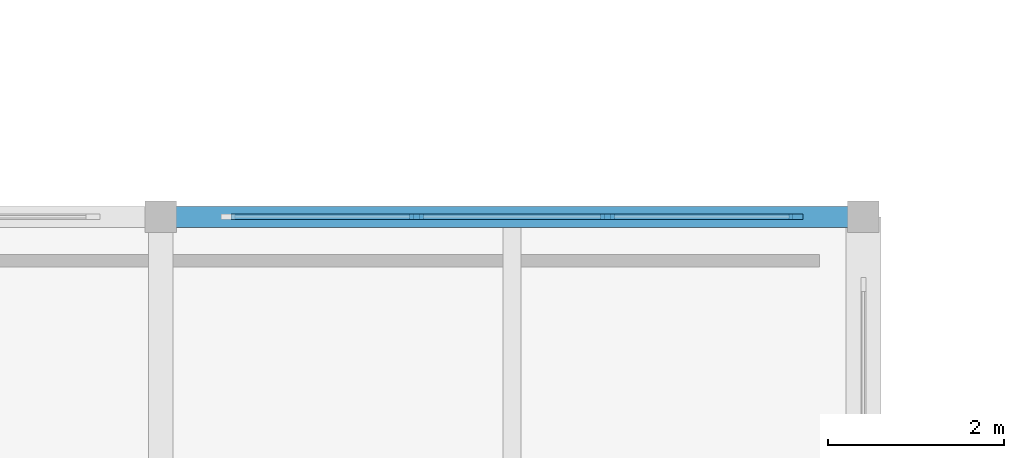
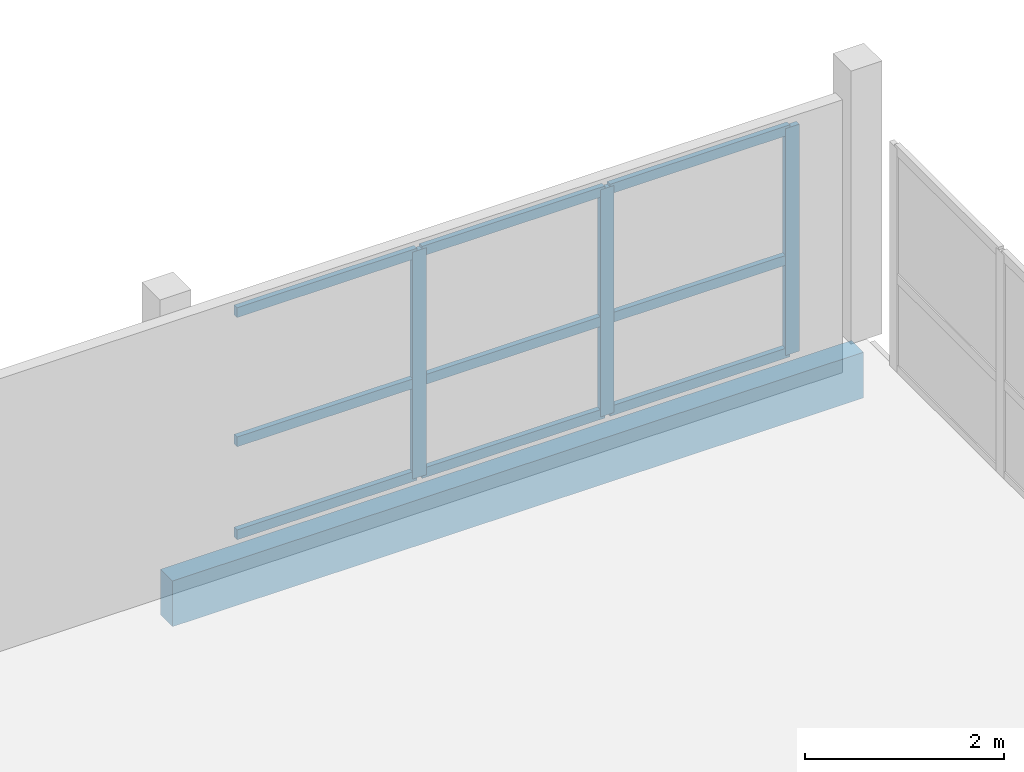
# One storey, part 7 of 22: 12 members, 1 beam, 1 element without a shape of its own.
"""IFC4 building model written with IfcOpenShell, lengths in metres."""

from ifc_helpers import new_model, si_unit, direction, frame, origin, origin_2d, place, context, subcontext, project, spatial, rectangle, extrude, material, material_profile, profile_set, type_object, element, aggregate, save


model = new_model("IFC4")

# Units and contexts
model_context = context("Model", 3, precision=1e-05, world=origin(), true_north=direction((0.0, 1.0)))
body_context = subcontext(model_context, "Body", "Model", "MODEL_VIEW")
ifc_project = project(units=[si_unit("LENGTHUNIT", "METRE"), si_unit("AREAUNIT", "SQUARE_METRE"), si_unit("VOLUMEUNIT", "CUBIC_METRE"), si_unit("PLANEANGLEUNIT", "RADIAN"), si_unit("MASSUNIT", "GRAM", prefix="KILO")], contexts=[model_context])

# Site, building, storey
site_placement = place(None, origin())
site = spatial("IfcSite", under=ifc_project, at=site_placement, CompositionType="ELEMENT")
building_placement = place(site_placement, origin())
building = spatial("IfcBuilding", under=site, at=building_placement, Name="Vharandega Faculty of Natural Sciences", CompositionType="ELEMENT")
storey_placement = place(building_placement, frame((0.0, 0.0, 28.800048828125)))
storey = spatial("IfcBuildingStorey", under=building, at=storey_placement, Name="L07", CompositionType="ELEMENT", Elevation=28.800048828125)

# Curtain wall, members
ifc_material_1 = material(Name="Aluminium and solar-control glass curtain wall", Category="aluminium")
curtain_wall_type = type_object("IfcCurtainWallType", Name="Unitised Curtain Wall System CW-11", PredefinedType="NOTDEFINED", material=ifc_material_1)
curtain_wall_placement = place(storey_placement, origin())
curtain_wall = element("IfcCurtainWall", 1, at=curtain_wall_placement, inside=storey, type_object=curtain_wall_type, Name="Curtain Wall CW-L07-234", PredefinedType="NOTDEFINED")
ifc_material_2 = material(Name="Thermally broken aluminium 6063-T6", Category="aluminium")
ifc_material_profile_1 = material_profile(ifc_material_2, rectangle(XDim=0.06005859375, YDim=0.159912109375, at=origin_2d()), Name="ALU 60x160")
ifc_profile_set_1 = profile_set([ifc_material_profile_1], Name="Thermally broken aluminium 6063-T6")
member_type_1 = type_object("IfcMemberType", Name="CW Mullion 60x160", PredefinedType="MULLION", material=ifc_profile_set_1)
member_1_placement = place(storey_placement, frame((34.913330078125, 64.0, 0.0), z_axis=(0.0, 0.0, 1.0), x_axis=(0.0, 1.0, 0.0)))
member_1 = element("IfcMember", 2, at=member_1_placement, type_object=member_type_1, Name="CW-11 mullion 2", PredefinedType="MULLION", context=body_context, shape_type="SweptSolid", body=[
    extrude(rectangle(XDim=0.06005859375, YDim=0.159912109375, at=origin_2d()), origin(), (0.0, 0.0, 1.0), 2.780029296875),
])
member_2_placement = place(storey_placement, frame((37.086669921875, 64.0, 0.0), z_axis=(0.0, 0.0, 1.0), x_axis=(0.0, 1.0, 0.0)))
member_2 = element("IfcMember", 3, at=member_2_placement, type_object=member_type_1, Name="CW-11 mullion 3", PredefinedType="MULLION", context=body_context, shape_type="SweptSolid", body=[
    extrude(rectangle(XDim=0.06005859375, YDim=0.159912109375, at=origin_2d()), origin(), (0.0, 0.0, 1.0), 2.780029296875),
])
member_3_placement = place(storey_placement, frame((39.22998046875, 64.0, 0.0), z_axis=(0.0, 0.0, 1.0), x_axis=(0.0, 1.0, 0.0)))
member_3 = element("IfcMember", 4, at=member_3_placement, type_object=member_type_1, Name="CW-11 mullion 4", PredefinedType="MULLION", context=body_context, shape_type="SweptSolid", body=[
    extrude(rectangle(XDim=0.06005859375, YDim=0.159912109375, at=origin_2d()), origin(), (0.0, 0.0, 1.0), 2.780029296875),
])
ifc_material_3 = material(Name="Thermally broken aluminium 6063-T6", Category="aluminium")
ifc_material_profile_2 = material_profile(ifc_material_3, rectangle(XDim=0.06005859375, YDim=0.1201171875, at=origin_2d()), Name="ALU 60x120")
ifc_profile_set_2 = profile_set([ifc_material_profile_2], Name="Thermally broken aluminium 6063-T6")
member_type_2 = type_object("IfcMemberType", Name="CW Transom 60x120", PredefinedType="USERDEFINED", material=ifc_profile_set_2)
member_4_placement = place(storey_placement, frame((32.800048828125, 64.0, 0.030029296875), z_axis=(1.0, 0.0, 0.0), x_axis=(0.0, 1.0, 0.0)))
member_4 = element("IfcMember", 5, at=member_4_placement, type_object=member_type_2, Name="CW-11 transom 1.1", ObjectType="TRANSOM", PredefinedType="USERDEFINED", context=body_context, shape_type="SweptSolid", body=[
    extrude(rectangle(XDim=0.06005859375, YDim=0.1201171875, at=origin_2d()), origin(), (0.0, 0.0, 1.0), 2.083251953125),
])
member_5_placement = place(storey_placement, frame((32.800048828125, 64.0, 1.16748046875), z_axis=(1.0, 0.0, 0.0), x_axis=(0.0, 1.0, 0.0)))
member_5 = element("IfcMember", 6, at=member_5_placement, type_object=member_type_2, Name="CW-11 transom 1.2", ObjectType="TRANSOM", PredefinedType="USERDEFINED", context=body_context, shape_type="SweptSolid", body=[
    extrude(rectangle(XDim=0.06005859375, YDim=0.1201171875, at=origin_2d()), origin(), (0.0, 0.0, 1.0), 2.083251953125),
])
member_6_placement = place(storey_placement, frame((32.800048828125, 64.0, 2.75), z_axis=(1.0, 0.0, 0.0), x_axis=(0.0, 1.0, 0.0)))
member_6 = element("IfcMember", 7, at=member_6_placement, type_object=member_type_2, Name="CW-11 transom 1.3", ObjectType="TRANSOM", PredefinedType="USERDEFINED", context=body_context, shape_type="SweptSolid", body=[
    extrude(rectangle(XDim=0.06005859375, YDim=0.1201171875, at=origin_2d()), origin(), (0.0, 0.0, 1.0), 2.083251953125),
])
member_7_placement = place(storey_placement, frame((34.943359375, 64.0, 0.030029296875), z_axis=(1.0, 0.0, 0.0), x_axis=(0.0, 1.0, 0.0)))
member_7 = element("IfcMember", 8, at=member_7_placement, type_object=member_type_2, Name="CW-11 transom 2.1", ObjectType="TRANSOM", PredefinedType="USERDEFINED", context=body_context, shape_type="SweptSolid", body=[
    extrude(rectangle(XDim=0.06005859375, YDim=0.1201171875, at=origin_2d()), origin(), (0.0, 0.0, 1.0), 2.11328125),
])
member_8_placement = place(storey_placement, frame((34.943359375, 64.0, 1.16748046875), z_axis=(1.0, 0.0, 0.0), x_axis=(0.0, 1.0, 0.0)))
member_8 = element("IfcMember", 9, at=member_8_placement, type_object=member_type_2, Name="CW-11 transom 2.2", ObjectType="TRANSOM", PredefinedType="USERDEFINED", context=body_context, shape_type="SweptSolid", body=[
    extrude(rectangle(XDim=0.06005859375, YDim=0.1201171875, at=origin_2d()), origin(), (0.0, 0.0, 1.0), 2.11328125),
])
member_9_placement = place(storey_placement, frame((34.943359375, 64.0, 2.75), z_axis=(1.0, 0.0, 0.0), x_axis=(0.0, 1.0, 0.0)))
member_9 = element("IfcMember", 10, at=member_9_placement, type_object=member_type_2, Name="CW-11 transom 2.3", ObjectType="TRANSOM", PredefinedType="USERDEFINED", context=body_context, shape_type="SweptSolid", body=[
    extrude(rectangle(XDim=0.06005859375, YDim=0.1201171875, at=origin_2d()), origin(), (0.0, 0.0, 1.0), 2.11328125),
])
member_10_placement = place(storey_placement, frame((37.11669921875, 64.0, 0.030029296875), z_axis=(1.0, 0.0, 0.0), x_axis=(0.0, 1.0, 0.0)))
member_10 = element("IfcMember", 11, at=member_10_placement, type_object=member_type_2, Name="CW-11 transom 3.1", ObjectType="TRANSOM", PredefinedType="USERDEFINED", context=body_context, shape_type="SweptSolid", body=[
    extrude(rectangle(XDim=0.06005859375, YDim=0.1201171875, at=origin_2d()), origin(), (0.0, 0.0, 1.0), 2.083251953125),
])
member_11_placement = place(storey_placement, frame((37.11669921875, 64.0, 1.16748046875), z_axis=(1.0, 0.0, 0.0), x_axis=(0.0, 1.0, 0.0)))
member_11 = element("IfcMember", 12, at=member_11_placement, type_object=member_type_2, Name="CW-11 transom 3.2", ObjectType="TRANSOM", PredefinedType="USERDEFINED", context=body_context, shape_type="SweptSolid", body=[
    extrude(rectangle(XDim=0.06005859375, YDim=0.1201171875, at=origin_2d()), origin(), (0.0, 0.0, 1.0), 2.083251953125),
])
member_12_placement = place(storey_placement, frame((37.11669921875, 64.0, 2.75), z_axis=(1.0, 0.0, 0.0), x_axis=(0.0, 1.0, 0.0)))
member_12 = element("IfcMember", 13, at=member_12_placement, type_object=member_type_2, Name="CW-11 transom 3.3", ObjectType="TRANSOM", PredefinedType="USERDEFINED", context=body_context, shape_type="SweptSolid", body=[
    extrude(rectangle(XDim=0.06005859375, YDim=0.1201171875, at=origin_2d()), origin(), (0.0, 0.0, 1.0), 2.083251953125),
])
aggregate(curtain_wall, [member_1, member_2, member_3, member_4, member_5, member_6, member_7, member_8, member_9, member_10, member_11, member_12])

# Beam
ifc_material_4 = material(Name="Glulam GL28h", Category="wood")
ifc_material_profile_3 = material_profile(ifc_material_4, rectangle(XDim=0.239990234375, YDim=0.56005859375, at=origin_2d()), Name="GL28h 240x560")
ifc_profile_set_3 = profile_set([ifc_material_profile_3], Name="Glulam GL28h")
beam_type = type_object("IfcBeamType", Name="Glulam Spandrel Edge Beam 240x560", PredefinedType="SPANDREL", material=ifc_profile_set_3)
beam_placement = place(storey_placement, frame((32.0, 64.0, -0.47998046875), z_axis=(1.0, 0.0, 0.0), x_axis=(0.0, 1.0, 0.0)))
element("IfcBeam", 14, at=beam_placement, inside=storey, type_object=beam_type, Name="Beam L07 J/5-6", PredefinedType="SPANDREL", context=body_context, shape_type="SweptSolid", body=[
    extrude(rectangle(XDim=0.239990234375, YDim=0.56005859375, at=origin_2d()), origin(), (0.0, 0.0, 1.0), 8.0),
])

save(model, "model.ifc")
